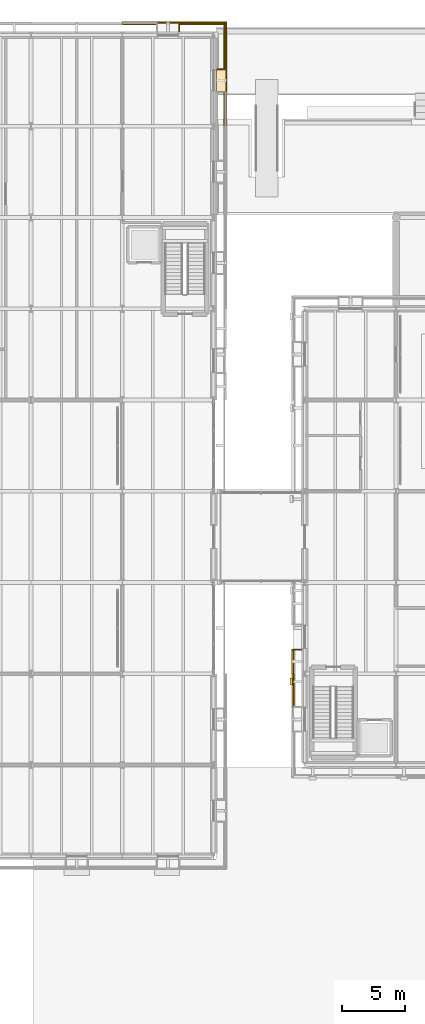
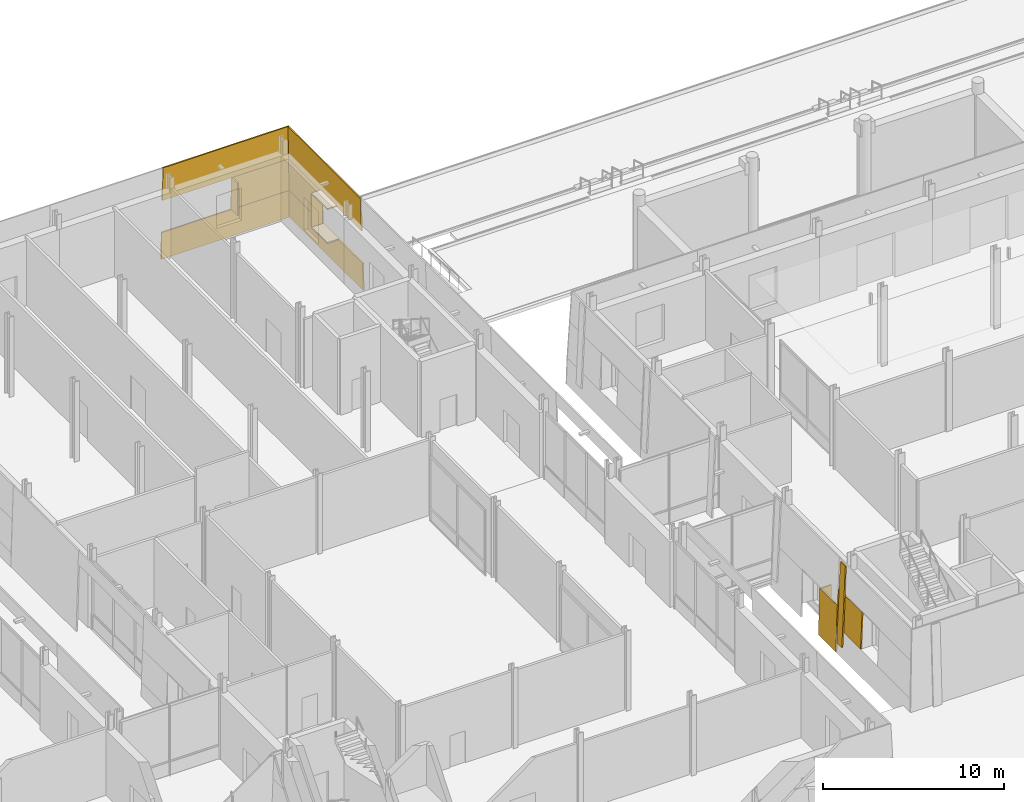
# One storey, part 111 of 120: 14 coverings.
"""IFC4 building model written with IfcOpenShell, lengths in metres."""

from ifc_helpers import new_model, si_unit, direction, frame, origin, place, context, subcontext, project, spatial, polyline, outline, extrude, material, layer, layer_set, type_object, element, save


model = new_model("IFC4")

# Units and contexts
model_context = context("Model", 3, precision=1e-05, world=origin(), true_north=direction((0.0, 1.0)))
body_context = subcontext(model_context, "Body", "Model", "MODEL_VIEW")
ifc_project = project(units=[si_unit("LENGTHUNIT", "METRE"), si_unit("AREAUNIT", "SQUARE_METRE"), si_unit("VOLUMEUNIT", "CUBIC_METRE"), si_unit("PLANEANGLEUNIT", "RADIAN"), si_unit("MASSUNIT", "GRAM", prefix="KILO")], contexts=[model_context])

# Site, building, storey
site_placement = place(None, origin())
site = spatial("IfcSite", under=ifc_project, at=site_placement, CompositionType="ELEMENT")
building_placement = place(site_placement, origin())
building = spatial("IfcBuilding", under=site, at=building_placement, Name="Narikvali Park Central Library", CompositionType="ELEMENT")
storey_placement = place(building_placement, origin())
storey = spatial("IfcBuildingStorey", under=building, at=storey_placement, Name="L00", CompositionType="ELEMENT", Elevation=0.0)

# Coverings
ifc_material = material(Name="White Honed Limestone Cladding", Category="masonry")
ifc_layer_1 = layer(ifc_material, 0.0849609375, Name="White Honed Limestone Cladding")
ifc_layer_set_1 = layer_set([ifc_layer_1], Name="White Honed Limestone Cladding")
covering_type_1 = type_object("IfcCoveringType", Name="Battered White Limestone Facade Cladding Panel", PredefinedType="CLADDING", material=ifc_layer_set_1)
covering_1_placement = place(storey_placement, frame((63.760009765625, 66.739990234375, -0.8798828125), z_axis=(-0.999567416371, 0.0, 0.029410544531), x_axis=(0.0, -1.0, 0.0)))
element("IfcCovering", 1, at=covering_1_placement, inside=storey, type_object=covering_type_1, Name="V1 L00 W Battered Portal Pier R B04", PredefinedType="CLADDING", context=body_context, shape_type="SweptSolid", body=[
    extrude(outline(polyline([(0.0, 0.0), (1.93994140625, 0.0), (1.93994140625, 3.121223236950036), (0.0, 3.121223236950036), (0.0, 0.0)])), origin(), (0.0, 0.0, -1.0), 0.0849609375),
])
covering_2_placement = place(storey_placement, frame((63.6201171875, 64.449951171875, 0.0), z_axis=(-0.999163953268, 0.0, 0.040882691821), x_axis=(0.0, -1.0, 0.0)))
element("IfcCovering", 2, at=covering_2_placement, inside=storey, type_object=covering_type_1, Name="V1 L00 W Classical Limestone Pilaster B05", PredefinedType="CLADDING", context=body_context, shape_type="SweptSolid", body=[
    extrude(outline(polyline([(0.0, 0.0), (0.550048828125, 0.0), (0.550048828125, 5.40442069200982), (0.0, 5.40442069200982), (0.0, 0.0)])), origin(), (0.0, 0.0, -1.0), 0.0849609375),
])
covering_3_placement = place(storey_placement, frame((63.796875, 64.800048828125, 0.89990234375), z_axis=(-0.999162496768, 0.0, 0.040918272835), x_axis=(0.0, -1.0, 0.0)))
element("IfcCovering", 3, at=covering_3_placement, inside=storey, type_object=covering_type_1, Name="V1 L00 W Battered Limestone Jamb Pier L B05", PredefinedType="CLADDING", context=body_context, shape_type="SweptSolid", body=[
    extrude(outline(polyline([(0.0, 0.0), (2.66015625, 0.0), (2.66015625, 2.4522490790286935), (0.0, 2.4522490790286935), (0.0, 0.0)])), origin(), (0.0, 0.0, -1.0), 0.0849609375),
])
covering_4_placement = place(storey_placement, frame((58.639892578125, 108.0, -0.8798828125), z_axis=(0.999847289173, 0.0, 0.017475649751), x_axis=(0.0, 1.0, 0.0)))
element("IfcCovering", 4, at=covering_4_placement, inside=storey, type_object=covering_type_1, Name="V4 L00 E Battered Limestone Spandrel B09", PredefinedType="CLADDING", context=body_context, shape_type="SweptSolid", body=[
    extrude(outline(polyline([(0.0, 0.0), (8.155029296875, 0.0), (8.123046875, 1.8301134625161026), (0.0, 1.8301134625161026), (0.0, 0.0)])), origin(), (0.0, 0.0, -1.0), 0.0849609375),
])
covering_5_placement = place(storey_placement, frame((58.533935546875, 108.0, 3.14990234375), z_axis=(0.999431101062, 0.0, 0.033726461852), x_axis=(0.0, 1.0, 0.0)))
element("IfcCovering", 5, at=covering_5_placement, inside=storey, type_object=covering_type_1, Name="V4 L00 E Battered Limestone Lintel B09", PredefinedType="CLADDING", context=body_context, shape_type="SweptSolid", body=[
    extrude(outline(polyline([(0.0, 0.0), (8.048828125, 0.0), (7.97314453125, 2.2512807512274695), (0.0, 2.2512807512274695), (0.0, 0.0)])), origin(), (0.0, 0.0, -1.0), 0.0849609375),
])
covering_6_placement = place(storey_placement, frame((58.60791015625, 112.43994140625, 0.949951171875), z_axis=(0.999435139525, 0.0, 0.033606574995), x_axis=(0.0, 1.0, 0.0)))
element("IfcCovering", 6, at=covering_6_placement, inside=storey, type_object=covering_type_1, Name="V4 L00 E Battered Limestone Jamb Pier R B09", PredefinedType="CLADDING", context=body_context, shape_type="SweptSolid", body=[
    extrude(outline(polyline([(0.0, 0.0), (3.68310546875, 0.0), (3.60888671875, 2.2011945396684887), (0.0, 2.2011945396684887), (0.0, 0.0)])), origin(), (0.0, 0.0, -1.0), 0.0849609375),
])
covering_7_placement = place(storey_placement, frame((58.639892578125, 116.239990234375, -0.8798828125), z_axis=(0.0, 0.999847289173, 0.017475649751), x_axis=(-1.0, 0.0, 0.0)))
element("IfcCovering", 7, at=covering_7_placement, inside=storey, type_object=covering_type_1, Name="V4 L00 N Battered Limestone Spandrel B01", PredefinedType="CLADDING", context=body_context, shape_type="SweptSolid", body=[
    extrude(outline(polyline([(0.0, 0.0), (8.239990234375, 0.0), (8.239990234375, 1.8301134625161029), (0.031982421875, 1.8301134625161029), (0.0, 0.0)])), origin(), (0.0, 0.0, -1.0), 0.0849609375),
])
covering_8_placement = place(storey_placement, frame((58.533935546875, 116.1337890625, 3.14990234375), z_axis=(0.0, 0.999434750598, 0.033618139397), x_axis=(-1.0, 0.0, 0.0)))
element("IfcCovering", 8, at=covering_8_placement, inside=storey, type_object=covering_type_1, Name="V4 L00 N Battered Limestone Lintel B01", PredefinedType="CLADDING", context=body_context, shape_type="SweptSolid", body=[
    extrude(outline(polyline([(0.0, 0.0), (8.134033203125, 0.0), (8.134033203125, 2.251272530450926), (0.075927734375, 2.251272530450926), (0.0, 0.0)])), origin(), (0.0, 0.0, -1.0), 0.0849609375),
])
covering_9_placement = place(storey_placement, frame((58.60791015625, 116.2080078125, 0.949951171875), z_axis=(0.0, 0.999431408105, 0.033717361898), x_axis=(-1.0, 0.0, 0.0)))
element("IfcCovering", 9, at=covering_9_placement, inside=storey, type_object=covering_type_1, Name="V4 L00 N Battered Limestone Jamb Pier L B01", PredefinedType="CLADDING", context=body_context, shape_type="SweptSolid", body=[
    extrude(outline(polyline([(0.0, 0.0), (3.767822265625, 0.0), (3.767822265625, 2.201202757922529), (0.073974609375, 2.201202757922529), (0.0, 0.0)])), origin(), (0.0, 0.0, -1.0), 0.0849609375),
])
ifc_layer_2 = layer(ifc_material, 0.080078125, Name="White Honed Limestone Cladding")
ifc_layer_set_2 = layer_set([ifc_layer_2], Name="White Honed Limestone Cladding")
covering_type_2 = type_object("IfcCoveringType", Name="Deep Carved White Limestone Window Reveal", PredefinedType="CLADDING", material=ifc_layer_set_2)
covering_10_placement = place(storey_placement, frame((0.0, 0.0, 0.02001953125)))
element("IfcCovering", 10, at=covering_10_placement, inside=storey, type_object=covering_type_2, Name="Deep Stone Reveal Jamb R V1-RVL-L00-W-B04", PredefinedType="CLADDING", context=body_context, shape_type="SweptSolid", body=[
    extrude(outline(polyline([(64.554931640625, 66.739990234375), (64.554931640625, 66.659912109375), (63.851806640625, 66.659912109375), (63.851806640625, 66.739990234375), (64.554931640625, 66.739990234375)])), origin(), (0.0, 0.0, 1.0), 2.219970703125),
])
covering_11_placement = place(storey_placement, frame((0.0, 0.0, 3.14990234375)))
element("IfcCovering", 11, at=covering_11_placement, inside=storey, type_object=covering_type_2, Name="Deep Stone Reveal Head V4-RVL-L00-E-B09", PredefinedType="CLADDING", context=body_context, shape_type="SweptSolid", body=[
    extrude(outline(polyline([(57.844970703125, 110.719970703125), (57.844970703125, 112.47998046875), (58.533935546875, 112.47998046875), (58.533935546875, 110.719970703125), (57.844970703125, 110.719970703125)])), origin(), (0.0, 0.0, 1.0), 0.080078125),
])
covering_12_placement = place(storey_placement, frame((0.0, 0.0, 0.8701171875)))
element("IfcCovering", 12, at=covering_12_placement, inside=storey, type_object=covering_type_2, Name="Deep Stone Reveal Sill V4-RVL-L00-E-B09", PredefinedType="CLADDING", context=body_context, shape_type="SweptSolid", body=[
    extrude(outline(polyline([(57.844970703125, 110.719970703125), (57.844970703125, 112.47998046875), (58.60791015625, 112.47998046875), (58.60791015625, 110.719970703125), (57.844970703125, 110.719970703125)])), origin(), (0.0, 0.0, 1.0), 0.079833984375),
])
covering_13_placement = place(storey_placement, frame((0.0, 0.0, 0.949951171875)))
element("IfcCovering", 13, at=covering_13_placement, inside=storey, type_object=covering_type_2, Name="Deep Stone Reveal Jamb R V4-RVL-L00-E-B09", PredefinedType="CLADDING", context=body_context, shape_type="SweptSolid", body=[
    extrude(outline(polyline([(57.844970703125, 112.43994140625), (57.844970703125, 112.52001953125), (58.533935546875, 112.52001953125), (58.533935546875, 112.43994140625), (57.844970703125, 112.43994140625)])), origin(), (0.0, 0.0, 1.0), 2.199951171875),
])
covering_14_placement = place(storey_placement, frame((0.0, 0.0, 0.949951171875)))
element("IfcCovering", 14, at=covering_14_placement, inside=storey, type_object=covering_type_2, Name="Deep Stone Reveal Jamb L V4-RVL-L00-N-B01", PredefinedType="CLADDING", context=body_context, shape_type="SweptSolid", body=[
    extrude(outline(polyline([(54.919921875, 115.445068359375), (54.840087890625, 115.445068359375), (54.840087890625, 116.1337890625), (54.919921875, 116.1337890625), (54.919921875, 115.445068359375)])), origin(), (0.0, 0.0, 1.0), 2.199951171875),
])

save(model, "model.ifc")
